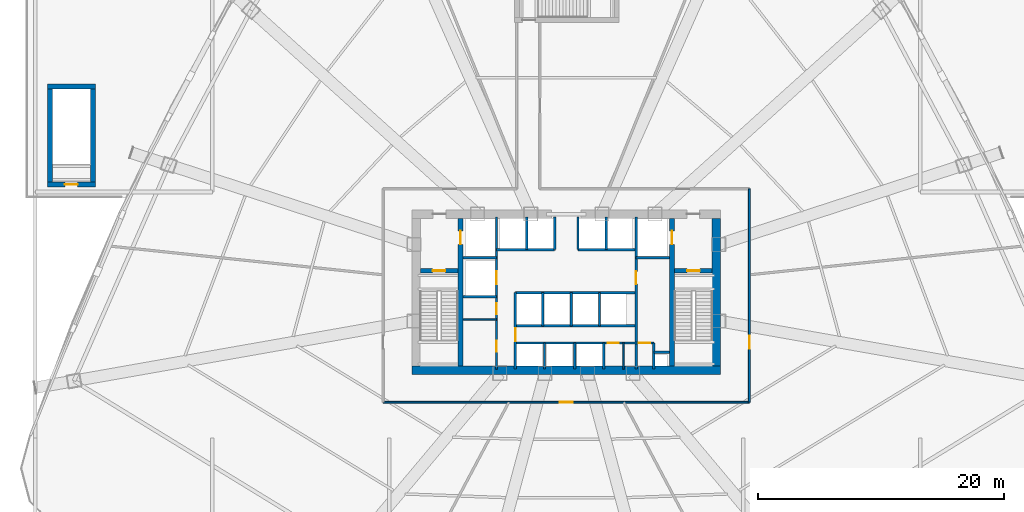
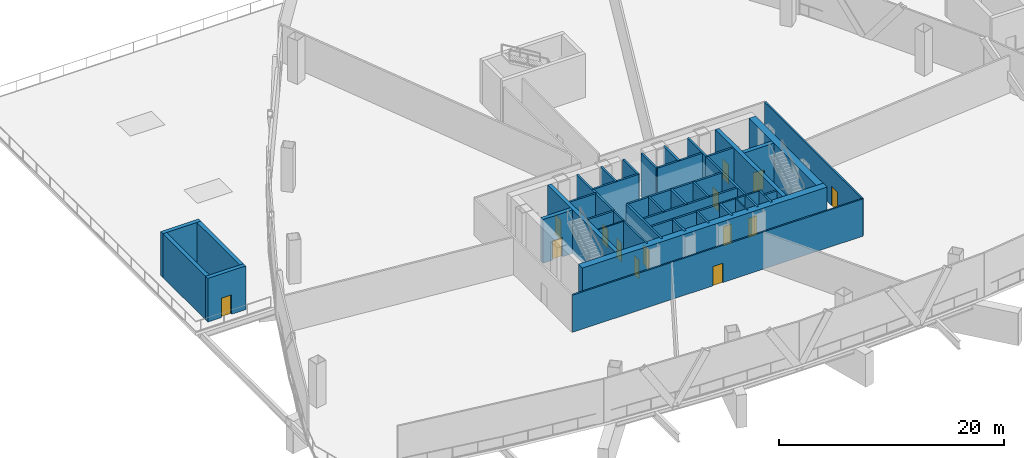
# One storey, part 10 of 18: 40 walls, 14 doors, 14 openings.
"""IFC4 building model written with IfcOpenShell, lengths in metres."""

from ifc_helpers import new_model, si_unit, direction, frame, frame_2d, origin, origin_with_axes, place, context, subcontext, project, spatial, rectangle, extrude, source, transform, mapped, material, layer, layer_set, type_object, element, fill, save


model = new_model("IFC4")

# Units and contexts
model_context = context("Model", 3, precision=1e-05, world=origin(), true_north=direction((0.0, 1.0)))
body_context = subcontext(model_context, "Body", "Model", "MODEL_VIEW")
ifc_project = project(units=[si_unit("LENGTHUNIT", "METRE"), si_unit("AREAUNIT", "SQUARE_METRE"), si_unit("VOLUMEUNIT", "CUBIC_METRE"), si_unit("PLANEANGLEUNIT", "RADIAN"), si_unit("MASSUNIT", "GRAM", prefix="KILO"), si_unit("THERMODYNAMICTEMPERATUREUNIT", "KELVIN"), si_unit("POWERUNIT", "WATT")], contexts=[model_context])

# Site, building, storey
site_placement = place(None, origin())
site = spatial("IfcSite", under=ifc_project, at=site_placement, CompositionType="ELEMENT")
building_placement = place(site_placement, origin())
building = spatial("IfcBuilding", under=site, at=building_placement, Name="Yunzhuo Pagoda Commons", CompositionType="ELEMENT")
storey_placement = place(building_placement, frame((0.0, 0.0, 25.39990234375)))
storey = spatial("IfcBuildingStorey", under=building, at=storey_placement, Name="L06", CompositionType="ELEMENT", Elevation=25.39990234375)

# Walls
ifc_material_1 = material(Name="Concrete C60", Category="concrete")
ifc_layer_1 = layer(ifc_material_1, 0.699951171875)
ifc_layer_set_1 = layer_set([ifc_layer_1], Name="Concrete C60")
wall_type_1 = type_object("IfcWallType", Name="W-C01 Lower Core Shear Wall 700", PredefinedType="SHEAR", material=ifc_layer_set_1)
wall_1_placement = place(storey_placement, frame((35.449951171875, 27.5, 0.0), z_axis=(0.0, 0.0, 1.0), x_axis=(1.0, 0.0, 0.0)))
element("IfcWall", 1, at=wall_1_placement, inside=storey, type_object=wall_type_1, Name="L06 core shear wall S", PredefinedType="SHEAR", context=body_context, shape_type="SweptSolid", body=[
    extrude(rectangle(XDim=25.10009765625, YDim=0.699951171875, at=frame_2d((12.550048828125, 0.0))), origin(), (0.0, 0.0, 1.0), 4.739990234375),
])
wall_2_placement = place(storey_placement, frame((60.199951171875, 27.85009765625, 0.0), z_axis=(0.0, 0.0, 1.0), x_axis=(0.0, 1.0, 0.0)))
element("IfcWall", 2, at=wall_2_placement, inside=storey, type_object=wall_type_1, Name="L06 core shear wall E", PredefinedType="SHEAR", context=body_context, shape_type="SweptSolid", body=[
    extrude(rectangle(XDim=12.0, YDim=0.699951171875, at=frame_2d((6.0, 0.0))), origin(), (0.0, 0.0, 1.0), 4.739990234375),
])

# Wall, openings, doors
ifc_material_2 = material(Name="Gypsum plasterboard on acoustic stud")
ifc_layer_2 = layer(ifc_material_2, 0.159912109375)
ifc_layer_set_2 = layer_set([ifc_layer_2], Name="Gypsum plasterboard on acoustic stud")
wall_type_2 = type_object("IfcWallType", Name="W-COR1 Tower Rated Corridor Wall 160", PredefinedType="PARTITIONING", material=ifc_layer_set_2)
wall_3_placement = place(storey_placement, frame((42.320068359375, 27.60009765625, 0.0), z_axis=(0.0, 0.0, 1.0), x_axis=(0.0, 1.0, 0.0)))
wall_3 = element("IfcWall", 3, at=wall_3_placement, inside=storey, type_object=wall_type_2, Name="L06 interior wall IW-L06-CSWE", PredefinedType="PARTITIONING", context=body_context, shape_type="SweptSolid", body=[
    extrude(rectangle(XDim=5.89990234375, YDim=0.159912109375, at=frame_2d((2.949951171875, 0.0))), origin(), (0.0, 0.0, 1.0), 4.739990234375),
])
opening_1_placement = place(wall_3_placement, frame((1.39990234375, 0.0, 0.0)))
opening_1 = element("IfcOpeningElement", 4, at=opening_1_placement, cuts=wall_3, Name="Opening D-03", PredefinedType="OPENING", context=body_context, shape_type="SweptSolid", body=[
    extrude(rectangle(XDim=0.89990234375, YDim=2.10009765625, at=frame_2d((0.449951171875, 1.050048828125))), frame((0.0, 0.08984375, 0.0), z_axis=(0.0, -1.0, 0.0), x_axis=(1.0, 0.0, 0.0)), (0.0, 0.0, 1.0), 0.179931640625),
])
opening_2_placement = place(wall_3_placement, frame((4.449951171875, 0.0, 0.0)))
opening_2 = element("IfcOpeningElement", 5, at=opening_2_placement, cuts=wall_3, Name="Opening D-03", PredefinedType="OPENING", context=body_context, shape_type="SweptSolid", body=[
    extrude(rectangle(XDim=0.89990234375, YDim=2.10009765625, at=frame_2d((0.449951171875, 1.050048828125))), frame((0.0, 0.08984375, 0.0), z_axis=(0.0, -1.0, 0.0), x_axis=(1.0, 0.0, 0.0)), (0.0, 0.0, 1.0), 0.179931640625),
])
ifc_material_3 = material(Name="Galvanized fire-resisting metal leaf")
door_type_1 = type_object("IfcDoorType", Name="D-03 Core Service Fire Door 900x2100", OperationType="NOTDEFINED", PredefinedType="DOOR", material=ifc_material_3)
shared_shape_1 = source(origin(), body_context, "Body", "SweptSolid", [
    extrude(rectangle(XDim=0.89990234375, YDim=2.10009765625, at=frame_2d((0.449951171875, 1.050048828125))), frame((0.0, 0.02490234375, 0.0), z_axis=(0.0, -1.0, 0.0), x_axis=(1.0, 0.0, 0.0)), (0.0, 0.0, 1.0), 0.050048828125),
])
door_1_placement = place(opening_1_placement, origin_with_axes())
door_1 = element("IfcDoor", 6, at=door_1_placement, inside=storey, type_object=door_type_1, Name="L06 service store door", OperationType="SINGLE_SWING_LEFT", OverallHeight=2.10009765625, OverallWidth=0.89990234375, PredefinedType="DOOR", context=body_context, shape_type="MappedRepresentation", body=[
    mapped(shared_shape_1, transform((0.0, 0.0, 0.0), scale=1.0)),
])
fill(opening_1, door_1)
door_2_placement = place(opening_2_placement, origin_with_axes())
door_2 = element("IfcDoor", 7, at=door_2_placement, inside=storey, type_object=door_type_1, Name="L06 switch closet door", OperationType="SINGLE_SWING_RIGHT", OverallHeight=2.10009765625, OverallWidth=0.89990234375, PredefinedType="DOOR", context=body_context, shape_type="MappedRepresentation", body=[
    mapped(shared_shape_1, transform((0.0, 0.0, 0.0), scale=1.0)),
])
fill(opening_2, door_2)

wall_4_placement = place(storey_placement, frame((51.050048828125, 29.719970703125, 0.0), z_axis=(0.0, 0.0, 1.0), x_axis=(1.0, 0.0, 0.0)))
wall_4 = element("IfcWall", 8, at=wall_4_placement, inside=storey, type_object=wall_type_2, Name="L06 interior wall IW-L06-CSES", PredefinedType="PARTITIONING", context=body_context, shape_type="SweptSolid", body=[
    extrude(rectangle(XDim=4.070068359375, YDim=0.159912109375, at=frame_2d((2.03515625, 0.0))), origin(), (0.0, 0.0, 1.0), 4.739990234375),
])
opening_3_placement = place(wall_4_placement, frame((0.300048828125, 0.0, 0.0)))
opening_3 = element("IfcOpeningElement", 9, at=opening_3_placement, cuts=wall_4, Name="Opening D-03", PredefinedType="OPENING", context=body_context, shape_type="SweptSolid", body=[
    extrude(rectangle(XDim=0.89990234375, YDim=2.10009765625, at=frame_2d((0.449951171875, 1.050048828125))), frame((0.0, 0.08984375, 0.0), z_axis=(0.0, -1.0, 0.0), x_axis=(1.0, 0.0, 0.0)), (0.0, 0.0, 1.0), 0.179931640625),
])
opening_4_placement = place(wall_4_placement, frame((2.860107421875, 0.0, 0.0)))
opening_4 = element("IfcOpeningElement", 10, at=opening_4_placement, cuts=wall_4, Name="Opening D-03", PredefinedType="OPENING", context=body_context, shape_type="SweptSolid", body=[
    extrude(rectangle(XDim=0.89990234375, YDim=2.10009765625, at=frame_2d((0.449951171875, 1.050048828125))), frame((0.0, 0.08984375, 0.0), z_axis=(0.0, -1.0, 0.0), x_axis=(1.0, 0.0, 0.0)), (0.0, 0.0, 1.0), 0.179931640625),
])
door_3_placement = place(opening_3_placement, origin_with_axes())
door_3 = element("IfcDoor", 11, at=door_3_placement, inside=storey, type_object=door_type_1, Name="L06 cleaner door", OperationType="SINGLE_SWING_LEFT", OverallHeight=2.10009765625, OverallWidth=0.89990234375, PredefinedType="DOOR", context=body_context, shape_type="MappedRepresentation", body=[
    mapped(shared_shape_1, transform((0.0, 0.0, 0.0), scale=1.0)),
])
fill(opening_3, door_3)
door_4_placement = place(opening_4_placement, origin_with_axes())
door_4 = element("IfcDoor", 12, at=door_4_placement, inside=storey, type_object=door_type_1, Name="L06 core battery door", OperationType="SINGLE_SWING_RIGHT", OverallHeight=2.10009765625, OverallWidth=0.89990234375, PredefinedType="DOOR", context=body_context, shape_type="MappedRepresentation", body=[
    mapped(shared_shape_1, transform((0.0, 0.0, 0.0), scale=1.0)),
])
fill(opening_4, door_4)

# Wall, opening, door
wall_5_placement = place(storey_placement, frame((62.89990234375, 42.25, 0.0), z_axis=(0.0, 0.0, 1.0), x_axis=(0.0, -1.0, 0.0)))
wall_5 = element("IfcWall", 13, at=wall_5_placement, inside=storey, type_object=wall_type_2, Name="L06 interior wall IW-L06-SCW03", PredefinedType="PARTITIONING", context=body_context, shape_type="SweptSolid", body=[
    extrude(rectangle(XDim=17.35009765625, YDim=0.159912109375, at=frame_2d((8.675048828125, 0.0))), origin(), (0.0, 0.0, 1.0), 4.0400390625),
])
opening_5_placement = place(wall_5_placement, frame((11.94189453125, 0.0, 0.0)))
opening_5 = element("IfcOpeningElement", 14, at=opening_5_placement, cuts=wall_5, Name="Opening D-02", PredefinedType="OPENING", context=body_context, shape_type="SweptSolid", body=[
    extrude(rectangle(XDim=1.050048828125, YDim=2.10009765625, at=frame_2d((0.52490234375, 1.050048828125))), frame((0.0, 0.08984375, 0.0), z_axis=(0.0, -1.0, 0.0), x_axis=(1.0, 0.0, 0.0)), (0.0, 0.0, 1.0), 0.179931640625),
])
door_type_2 = type_object("IfcDoorType", Name="D-02 Firefighting Lobby & Refuge Fire Door 1050x2100", OperationType="NOTDEFINED", PredefinedType="DOOR", material=ifc_material_3)
shared_shape_2 = source(origin(), body_context, "Body", "SweptSolid", [
    extrude(rectangle(XDim=1.050048828125, YDim=2.10009765625, at=frame_2d((0.52490234375, 1.050048828125))), frame((0.0, 0.02490234375, 0.0), z_axis=(0.0, -1.0, 0.0), x_axis=(1.0, 0.0, 0.0)), (0.0, 0.0, 1.0), 0.050048828125),
])
door_5_placement = place(opening_5_placement, origin_with_axes())
door_5 = element("IfcDoor", 15, at=door_5_placement, inside=storey, type_object=door_type_2, Name="L06 South Refuge Area door", OperationType="SINGLE_SWING_RIGHT", OverallHeight=2.10009765625, OverallWidth=1.050048828125, PredefinedType="DOOR", context=body_context, shape_type="MappedRepresentation", body=[
    mapped(shared_shape_2, transform((0.0, 0.0, 0.0), scale=1.0)),
])
fill(opening_5, door_5)

wall_6_placement = place(storey_placement, frame((62.89990234375, 24.89990234375, 0.0), z_axis=(0.0, 0.0, 1.0), x_axis=(-1.0, 0.0, 0.0)))
wall_6 = element("IfcWall", 16, at=wall_6_placement, inside=storey, type_object=wall_type_2, Name="L06 interior wall IW-L06-SCW04", PredefinedType="PARTITIONING", context=body_context, shape_type="SweptSolid", body=[
    extrude(rectangle(XDim=29.7998046875, YDim=0.159912109375, at=frame_2d((14.89990234375, 0.0))), origin(), (0.0, 0.0, 1.0), 4.0400390625),
])
opening_6_placement = place(wall_6_placement, frame((14.375, 0.0, 0.0)))
opening_6 = element("IfcOpeningElement", 17, at=opening_6_placement, cuts=wall_6, Name="Opening D-02", PredefinedType="OPENING", context=body_context, shape_type="SweptSolid", body=[
    extrude(rectangle(XDim=1.050048828125, YDim=2.10009765625, at=frame_2d((0.52490234375, 1.050048828125))), frame((0.0, 0.08984375, 0.0), z_axis=(0.0, -1.0, 0.0), x_axis=(1.0, 0.0, 0.0)), (0.0, 0.0, 1.0), 0.179931640625),
])
door_6_placement = place(opening_6_placement, origin_with_axes())
door_6 = element("IfcDoor", 18, at=door_6_placement, inside=storey, type_object=door_type_2, Name="L06 South Refuge Area door", OperationType="SINGLE_SWING_LEFT", OverallHeight=2.10009765625, OverallWidth=1.050048828125, PredefinedType="DOOR", context=body_context, shape_type="MappedRepresentation", body=[
    mapped(shared_shape_2, transform((0.0, 0.0, 0.0), scale=1.0)),
])
fill(opening_6, door_6)

# Walls
ifc_layer_3 = layer(ifc_material_2, 0.1201171875)
ifc_layer_set_3 = layer_set([ifc_layer_3], Name="Gypsum plasterboard on acoustic stud")
wall_type_3 = type_object("IfcWallType", Name="W-PRT1 Suite & Bathroom Partition 120", PredefinedType="PARTITIONING", material=ifc_layer_set_3)
wall_7_placement = place(storey_placement, frame((39.60009765625, 31.64990234375, 0.0), z_axis=(0.0, 0.0, 1.0), x_axis=(1.0, 0.0, 0.0)))
element("IfcWall", 19, at=wall_7_placement, inside=storey, type_object=wall_type_3, Name="L06 interior wall IW-L06-CD1", PredefinedType="PARTITIONING", context=body_context, shape_type="SweptSolid", body=[
    extrude(rectangle(XDim=2.719970703125, YDim=0.1201171875, at=frame_2d((1.35986328125, 0.0))), origin(), (0.0, 0.0, 1.0), 4.739990234375),
])
wall_8_placement = place(storey_placement, frame((52.64990234375, 27.60009765625, 0.0), z_axis=(0.0, 0.0, 1.0), x_axis=(0.0, 1.0, 0.0)))
element("IfcWall", 20, at=wall_8_placement, inside=storey, type_object=wall_type_3, Name="L06 interior wall IW-L06-CD2", PredefinedType="PARTITIONING", context=body_context, shape_type="SweptSolid", body=[
    extrude(rectangle(XDim=2.119873046875, YDim=0.1201171875, at=frame_2d((1.06005859375, 0.0))), origin(), (0.0, 0.0, 1.0), 4.739990234375),
])

# Wall, opening, door
ifc_layer_4 = layer(ifc_material_1, 0.39990234375)
ifc_layer_set_4 = layer_set([ifc_layer_4], Name="Concrete C60")
wall_type_4 = type_object("IfcWallType", Name="W-S01 Internal Core Shear Web 400", PredefinedType="SHEAR", material=ifc_layer_set_4)
wall_9_placement = place(storey_placement, frame((39.39990234375, 27.85009765625, 0.0), z_axis=(0.0, 0.0, 1.0), x_axis=(0.0, 1.0, 0.0)))
wall_9 = element("IfcWall", 21, at=wall_9_placement, inside=storey, type_object=wall_type_4, Name="L06 core shear wall WEBW", PredefinedType="SHEAR", context=body_context, shape_type="SweptSolid", body=[
    extrude(rectangle(XDim=12.0, YDim=0.39990234375, at=frame_2d((6.0, 0.0))), origin(), (0.0, 0.0, 1.0), 4.739990234375),
])
opening_7_placement = place(wall_9_placement, frame((9.89990234375, 0.0, 0.0)))
opening_7 = element("IfcOpeningElement", 22, at=opening_7_placement, cuts=wall_9, Name="Opening LD-01", PredefinedType="OPENING", context=body_context, shape_type="SweptSolid", body=[
    extrude(rectangle(XDim=1.10009765625, YDim=2.10009765625, at=frame_2d((0.550048828125, 1.050048828125))), frame((0.0, 0.2099609375, 0.0), z_axis=(0.0, -1.0, 0.0), x_axis=(1.0, 0.0, 0.0)), (0.0, 0.0, 1.0), 0.419921875),
])
door_type_3 = type_object("IfcDoorType", Name="LD-01 Firefighting Lift Landing Door 1100x2100", OperationType="DOUBLE_DOOR_SLIDING", PredefinedType="DOOR", material=ifc_material_3)
shared_shape_3 = source(origin(), body_context, "Body", "SweptSolid", [
    extrude(rectangle(XDim=1.10009765625, YDim=2.10009765625, at=frame_2d((0.550048828125, 1.050048828125))), frame((0.0, 0.02490234375, 0.0), z_axis=(0.0, -1.0, 0.0), x_axis=(1.0, 0.0, 0.0)), (0.0, 0.0, 1.0), 0.050048828125),
])
door_7_placement = place(opening_7_placement, frame((1.10009765625, 0.0, 0.0), z_axis=(0.0, 0.0, 1.0), x_axis=(-1.0, 0.0, 0.0)))
door_7 = element("IfcDoor", 23, at=door_7_placement, inside=storey, type_object=door_type_3, Name="L06 Firefighting lift FL-1 landing door", OperationType="DOUBLE_DOOR_SLIDING", OverallHeight=2.10009765625, OverallWidth=1.10009765625, PredefinedType="DOOR", context=body_context, shape_type="MappedRepresentation", body=[
    mapped(shared_shape_3, transform((0.0, 0.0, 0.0), scale=1.0)),
])
fill(opening_7, door_7)

wall_10_placement = place(storey_placement, frame((56.60009765625, 27.85009765625, 0.0), z_axis=(0.0, 0.0, 1.0), x_axis=(0.0, 1.0, 0.0)))
wall_10 = element("IfcWall", 24, at=wall_10_placement, inside=storey, type_object=wall_type_4, Name="L06 core shear wall WEBE", PredefinedType="SHEAR", context=body_context, shape_type="SweptSolid", body=[
    extrude(rectangle(XDim=12.0, YDim=0.39990234375, at=frame_2d((6.0, 0.0))), origin(), (0.0, 0.0, 1.0), 4.739990234375),
])
opening_8_placement = place(wall_10_placement, frame((9.89990234375, 0.0, 0.0)))
opening_8 = element("IfcOpeningElement", 25, at=opening_8_placement, cuts=wall_10, Name="Opening LD-01", PredefinedType="OPENING", context=body_context, shape_type="SweptSolid", body=[
    extrude(rectangle(XDim=1.10009765625, YDim=2.10009765625, at=frame_2d((0.550048828125, 1.050048828125))), frame((0.0, 0.2099609375, 0.0), z_axis=(0.0, -1.0, 0.0), x_axis=(1.0, 0.0, 0.0)), (0.0, 0.0, 1.0), 0.419921875),
])
door_8_placement = place(opening_8_placement, origin_with_axes())
door_8 = element("IfcDoor", 26, at=door_8_placement, inside=storey, type_object=door_type_3, Name="L06 Firefighting lift FL-2 landing door", OperationType="DOUBLE_DOOR_SLIDING", OverallHeight=2.10009765625, OverallWidth=1.10009765625, PredefinedType="DOOR", context=body_context, shape_type="MappedRepresentation", body=[
    mapped(shared_shape_3, transform((0.0, 0.0, 0.0), scale=1.0)),
])
fill(opening_8, door_8)

wall_11_placement = place(storey_placement, frame((36.14990234375, 35.60009765625, 0.0), z_axis=(0.0, 0.0, 1.0), x_axis=(1.0, 0.0, 0.0)))
wall_11 = element("IfcWall", 27, at=wall_11_placement, inside=storey, type_object=wall_type_4, Name="L06 core shear wall STW", PredefinedType="SHEAR", context=body_context, shape_type="SweptSolid", body=[
    extrude(rectangle(XDim=3.050048828125, YDim=0.39990234375, at=frame_2d((1.52490234375, 0.0))), origin(), (0.0, 0.0, 1.0), 4.739990234375),
])
opening_9_placement = place(wall_11_placement, frame((0.969970703125, 0.0, 0.0)))
opening_9 = element("IfcOpeningElement", 28, at=opening_9_placement, cuts=wall_11, Name="Opening D-01", PredefinedType="OPENING", context=body_context, shape_type="SweptSolid", body=[
    extrude(rectangle(XDim=1.050048828125, YDim=2.10009765625, at=frame_2d((0.52490234375, 1.050048828125))), frame((0.0, 0.2099609375, 0.0), z_axis=(0.0, -1.0, 0.0), x_axis=(1.0, 0.0, 0.0)), (0.0, 0.0, 1.0), 0.419921875),
])
door_type_4 = type_object("IfcDoorType", Name="D-01 Smokeproof Stair Fire Door 1050x2100", OperationType="NOTDEFINED", PredefinedType="DOOR", material=ifc_material_3)
door_9_placement = place(opening_9_placement, frame((1.050048828125, 0.0, 0.0), z_axis=(0.0, 0.0, 1.0), x_axis=(-1.0, 0.0, 0.0)))
door_9 = element("IfcDoor", 29, at=door_9_placement, inside=storey, type_object=door_type_4, Name="L06 Stair ST1 fire door", OperationType="SINGLE_SWING_LEFT", OverallHeight=2.10009765625, OverallWidth=1.050048828125, PredefinedType="DOOR", context=body_context, shape_type="MappedRepresentation", body=[
    mapped(shared_shape_2, transform((0.0, 0.0, 0.0), scale=1.0)),
])
fill(opening_9, door_9)

wall_12_placement = place(storey_placement, frame((56.800048828125, 35.60009765625, 0.0), z_axis=(0.0, 0.0, 1.0), x_axis=(1.0, 0.0, 0.0)))
wall_12 = element("IfcWall", 30, at=wall_12_placement, inside=storey, type_object=wall_type_4, Name="L06 core shear wall STE", PredefinedType="SHEAR", context=body_context, shape_type="SweptSolid", body=[
    extrude(rectangle(XDim=3.050048828125, YDim=0.39990234375, at=frame_2d((1.52490234375, 0.0))), origin(), (0.0, 0.0, 1.0), 4.739990234375),
])
opening_10_placement = place(wall_12_placement, frame((1.02001953125, 0.0, 0.0)))
opening_10 = element("IfcOpeningElement", 31, at=opening_10_placement, cuts=wall_12, Name="Opening D-01", PredefinedType="OPENING", context=body_context, shape_type="SweptSolid", body=[
    extrude(rectangle(XDim=1.050048828125, YDim=2.10009765625, at=frame_2d((0.52490234375, 1.050048828125))), frame((0.0, 0.2099609375, 0.0), z_axis=(0.0, -1.0, 0.0), x_axis=(1.0, 0.0, 0.0)), (0.0, 0.0, 1.0), 0.419921875),
])
door_10_placement = place(opening_10_placement, frame((1.050048828125, 0.0, 0.0), z_axis=(0.0, 0.0, 1.0), x_axis=(-1.0, 0.0, 0.0)))
door_10 = element("IfcDoor", 32, at=door_10_placement, inside=storey, type_object=door_type_4, Name="L06 Stair ST2 fire door", OperationType="SINGLE_SWING_RIGHT", OverallHeight=2.10009765625, OverallWidth=1.050048828125, PredefinedType="DOOR", context=body_context, shape_type="MappedRepresentation", body=[
    mapped(shared_shape_2, transform((0.0, 0.0, 0.0), scale=1.0)),
])
fill(opening_10, door_10)

# Wall
wall_13_placement = place(storey_placement, frame((5.800048828125, 50.60009765625, 0.0), z_axis=(0.0, 0.0, 1.0), x_axis=(1.0, 0.0, 0.0)))
element("IfcWall", 33, at=wall_13_placement, inside=storey, type_object=wall_type_4, Name="L06 PS3 structural stair wall N", PredefinedType="SHEAR", context=body_context, shape_type="SweptSolid", body=[
    extrude(rectangle(XDim=3.89990234375, YDim=0.39990234375, at=frame_2d((1.949951171875, 0.0))), origin(), (0.0, 0.0, 1.0), 4.739990234375),
])

# Wall, opening, door
wall_14_placement = place(storey_placement, frame((5.800048828125, 42.60009765625, 0.0), z_axis=(0.0, 0.0, 1.0), x_axis=(1.0, 0.0, 0.0)))
wall_14 = element("IfcWall", 34, at=wall_14_placement, inside=storey, type_object=wall_type_4, Name="L06 PS3 structural stair wall S", PredefinedType="SHEAR", context=body_context, shape_type="SweptSolid", body=[
    extrude(rectangle(XDim=3.89990234375, YDim=0.39990234375, at=frame_2d((1.949951171875, 0.0))), origin(), (0.0, 0.0, 1.0), 4.739990234375),
])
opening_11_placement = place(wall_14_placement, frame((1.39990234375, 0.0, 0.0)))
opening_11 = element("IfcOpeningElement", 35, at=opening_11_placement, cuts=wall_14, Name="Opening D-01", PredefinedType="OPENING", context=body_context, shape_type="SweptSolid", body=[
    extrude(rectangle(XDim=1.050048828125, YDim=2.10009765625, at=frame_2d((0.52490234375, 1.050048828125))), frame((0.0, 0.2099609375, 0.0), z_axis=(0.0, -1.0, 0.0), x_axis=(1.0, 0.0, 0.0)), (0.0, 0.0, 1.0), 0.419921875),
])
door_11_placement = place(opening_11_placement, frame((1.050048828125, 0.0, 0.0), z_axis=(0.0, 0.0, 1.0), x_axis=(-1.0, 0.0, 0.0)))
door_11 = element("IfcDoor", 36, at=door_11_placement, inside=storey, type_object=door_type_4, Name="L06 PS3 terrace exit door", OperationType="SINGLE_SWING_LEFT", OverallHeight=2.10009765625, OverallWidth=1.050048828125, PredefinedType="DOOR", context=body_context, shape_type="MappedRepresentation", body=[
    mapped(shared_shape_2, transform((0.0, 0.0, 0.0), scale=1.0)),
])
fill(opening_11, door_11)

# Walls
for number, where, z_axis, x_axis, name in (
    (37, (6.0, 42.800048828125, 0.0), (0.0, 0.0, 1.0), (0.0, 1.0, 0.0), "L06 PS3 structural stair wall W"),
    (38, (9.5, 42.800048828125, 0.0), (0.0, 0.0, 1.0), (0.0, 1.0, 0.0), "L06 PS3 structural stair wall E"),
):
    element("IfcWall", number, at=place(storey_placement, frame(where, z_axis=z_axis, x_axis=x_axis)), inside=storey, type_object=wall_type_4, Name=name, PredefinedType="SHEAR", context=body_context, shape_type="SweptSolid", body=[
        extrude(rectangle(XDim=7.599853515625, YDim=0.39990234375, at=frame_2d((3.7998046875, 0.0))), origin(), (0.0, 0.0, 1.0), 4.739990234375),
    ])

# Wall, opening, door
ifc_material_4 = material(Name="Concrete C40", Category="concrete")
ifc_layer_5 = layer(ifc_material_4, 0.199951171875)
ifc_layer_set_5 = layer_set([ifc_layer_5], Name="Concrete C40")
wall_type_5 = type_object("IfcWallType", Name="W-SHF Shaft & Stair Enclosure Wall 200", PredefinedType="SOLIDWALL", material=ifc_layer_set_5)
wall_15_placement = place(storey_placement, frame((42.320068359375, 33.5, 0.0), z_axis=(0.0, 0.0, 1.0), x_axis=(0.0, 1.0, 0.0)))
wall_15 = element("IfcWall", 39, at=wall_15_placement, inside=storey, type_object=wall_type_5, Name="L06 interior wall IW-L06-FL1E", PredefinedType="SOLIDWALL", context=body_context, shape_type="SweptSolid", body=[
    extrude(rectangle(XDim=6.449951171875, YDim=0.199951171875, at=frame_2d((3.22509765625, 0.0))), origin(), (0.0, 0.0, 1.0), 4.739990234375),
])
opening_12_placement = place(wall_15_placement, frame((1.0, 0.0, 0.0)))
opening_12 = element("IfcOpeningElement", 40, at=opening_12_placement, cuts=wall_15, Name="Opening LD-02", PredefinedType="OPENING", context=body_context, shape_type="SweptSolid", body=[
    extrude(rectangle(XDim=1.050048828125, YDim=2.10009765625, at=frame_2d((0.52490234375, 1.050048828125))), frame((0.0, 0.10986328125, 0.0), z_axis=(0.0, -1.0, 0.0), x_axis=(1.0, 0.0, 0.0)), (0.0, 0.0, 1.0), 0.219970703125),
])
door_type_5 = type_object("IfcDoorType", Name="LD-02 Passenger Lift Landing Door 1050x2100", OperationType="DOUBLE_DOOR_SLIDING", PredefinedType="DOOR", material=ifc_material_3)
door_12_placement = place(opening_12_placement, origin_with_axes())
door_12 = element("IfcDoor", 41, at=door_12_placement, inside=storey, type_object=door_type_5, Name="L06 Service lift SL-1 landing door", OperationType="DOUBLE_DOOR_SLIDING", OverallHeight=2.10009765625, OverallWidth=1.050048828125, PredefinedType="DOOR", context=body_context, shape_type="MappedRepresentation", body=[
    mapped(shared_shape_2, transform((0.0, 0.0, 0.0), scale=1.0)),
])
fill(opening_12, door_12)

# Walls
for number, where, z_axis, x_axis, name in (
    (42, (39.60009765625, 36.64990234375, 0.0), (0.0, 0.0, 1.0), (1.0, 0.0, 0.0), "L06 interior wall IW-L06-FL1S"),
    (43, (39.60009765625, 33.5, 0.0), (0.0, 0.0, 1.0), (1.0, 0.0, 0.0), "L06 interior wall IW-L06-SL1S"),
):
    element("IfcWall", number, at=place(storey_placement, frame(where, z_axis=z_axis, x_axis=x_axis)), inside=storey, type_object=wall_type_5, Name=name, PredefinedType="SOLIDWALL", context=body_context, shape_type="SweptSolid", body=[
        extrude(rectangle(XDim=2.719970703125, YDim=0.199951171875, at=frame_2d((1.35986328125, 0.0))), origin(), (0.0, 0.0, 1.0), 4.739990234375),
    ])
wall_16_placement = place(storey_placement, frame((53.679931640625, 36.64990234375, 0.0), z_axis=(0.0, 0.0, 1.0), x_axis=(0.0, 1.0, 0.0)))
element("IfcWall", 44, at=wall_16_placement, inside=storey, type_object=wall_type_5, Name="L06 interior wall IW-L06-FL2W", PredefinedType="SOLIDWALL", context=body_context, shape_type="SweptSolid", body=[
    extrude(rectangle(XDim=3.300048828125, YDim=0.199951171875, at=frame_2d((1.64990234375, 0.0))), origin(), (0.0, 0.0, 1.0), 4.739990234375),
])
wall_17_placement = place(storey_placement, frame((53.679931640625, 36.64990234375, 0.0), z_axis=(0.0, 0.0, 1.0), x_axis=(1.0, 0.0, 0.0)))
element("IfcWall", 45, at=wall_17_placement, inside=storey, type_object=wall_type_5, Name="L06 interior wall IW-L06-FL2S", PredefinedType="SOLIDWALL", context=body_context, shape_type="SweptSolid", body=[
    extrude(rectangle(XDim=2.719970703125, YDim=0.199951171875, at=frame_2d((1.35986328125, 0.0))), origin(), (0.0, 0.0, 1.0), 4.739990234375),
])
for number, where, z_axis, x_axis, name in (
    (46, (42.320068359375, 37.320068359375, 0.0), (0.0, 0.0, 1.0), (1.0, 0.0, 0.0), "L06 interior wall IW-L06-LBNW"),
    (47, (48.949951171875, 37.320068359375, 0.0), (0.0, 0.0, 1.0), (1.0, 0.0, 0.0), "L06 interior wall IW-L06-LBNE"),
):
    element("IfcWall", number, at=place(storey_placement, frame(where, z_axis=z_axis, x_axis=x_axis)), inside=storey, type_object=wall_type_5, Name=name, PredefinedType="SOLIDWALL", context=body_context, shape_type="SweptSolid", body=[
        extrude(rectangle(XDim=4.72998046875, YDim=0.199951171875, at=frame_2d((2.364990234375, 0.0))), origin(), (0.0, 0.0, 1.0), 4.739990234375),
    ])
for number, where, z_axis, x_axis, name in (
    (48, (47.050048828125, 37.320068359375, 0.0), (0.0, 0.0, 1.0), (0.0, 1.0, 0.0), "L06 interior wall IW-L06-THRW"),
    (49, (48.949951171875, 37.320068359375, 0.0), (0.0, 0.0, 1.0), (0.0, 1.0, 0.0), "L06 interior wall IW-L06-THRE"),
    (50, (44.77001953125, 37.320068359375, 0.0), (0.0, 0.0, 1.0), (0.0, 1.0, 0.0), "L06 interior wall IW-L06-PLL12"),
    (51, (51.22998046875, 37.320068359375, 0.0), (0.0, 0.0, 1.0), (0.0, 1.0, 0.0), "L06 interior wall IW-L06-PLL34"),
):
    element("IfcWall", number, at=place(storey_placement, frame(where, z_axis=z_axis, x_axis=x_axis)), inside=storey, type_object=wall_type_5, Name=name, PredefinedType="SOLIDWALL", context=body_context, shape_type="SweptSolid", body=[
        extrude(rectangle(XDim=2.6298828125, YDim=0.199951171875, at=frame_2d((1.31494140625, 0.0))), origin(), (0.0, 0.0, 1.0), 4.739990234375),
    ])
wall_18_placement = place(storey_placement, frame((43.85009765625, 33.820068359375, 0.0), z_axis=(0.0, 0.0, 1.0), x_axis=(1.0, 0.0, 0.0)))
element("IfcWall", 52, at=wall_18_placement, inside=storey, type_object=wall_type_5, Name="L06 interior wall IW-L06-MLBS", PredefinedType="SOLIDWALL", context=body_context, shape_type="SweptSolid", body=[
    extrude(rectangle(XDim=9.829833984375, YDim=0.199951171875, at=frame_2d((4.9150390625, 0.0))), origin(), (0.0, 0.0, 1.0), 4.739990234375),
])

# Wall, opening, door
wall_19_placement = place(storey_placement, frame((43.85009765625, 27.60009765625, 0.0), z_axis=(0.0, 0.0, 1.0), x_axis=(0.0, 1.0, 0.0)))
wall_19 = element("IfcWall", 53, at=wall_19_placement, inside=storey, type_object=wall_type_5, Name="L06 interior wall IW-L06-PLMW", PredefinedType="SOLIDWALL", context=body_context, shape_type="SweptSolid", body=[
    extrude(rectangle(XDim=6.219970703125, YDim=0.199951171875, at=frame_2d((3.10986328125, 0.0))), origin(), (0.0, 0.0, 1.0), 4.739990234375),
])
opening_13_placement = place(wall_19_placement, frame((2.25, 0.0, 0.0)))
opening_13 = element("IfcOpeningElement", 54, at=opening_13_placement, cuts=wall_19, Name="Opening D-02", PredefinedType="OPENING", context=body_context, shape_type="SweptSolid", body=[
    extrude(rectangle(XDim=1.050048828125, YDim=2.10009765625, at=frame_2d((0.52490234375, 1.050048828125))), frame((0.0, 0.10986328125, 0.0), z_axis=(0.0, -1.0, 0.0), x_axis=(1.0, 0.0, 0.0)), (0.0, 0.0, 1.0), 0.219970703125),
])
door_13_placement = place(opening_13_placement, frame((1.050048828125, 0.0, 0.0), z_axis=(0.0, 0.0, 1.0), x_axis=(-1.0, 0.0, 0.0)))
door_13 = element("IfcDoor", 55, at=door_13_placement, inside=storey, type_object=door_type_2, Name="L06 High-bank hall west door", OperationType="SINGLE_SWING_LEFT", OverallHeight=2.10009765625, OverallWidth=1.050048828125, PredefinedType="DOOR", context=body_context, shape_type="MappedRepresentation", body=[
    mapped(shared_shape_2, transform((0.0, 0.0, 0.0), scale=1.0)),
])
fill(opening_13, door_13)

wall_20_placement = place(storey_placement, frame((53.679931640625, 27.60009765625, 0.0), z_axis=(0.0, 0.0, 1.0), x_axis=(0.0, 1.0, 0.0)))
wall_20 = element("IfcWall", 56, at=wall_20_placement, inside=storey, type_object=wall_type_5, Name="L06 interior wall IW-L06-PLME", PredefinedType="SOLIDWALL", context=body_context, shape_type="SweptSolid", body=[
    extrude(rectangle(XDim=9.0498046875, YDim=0.199951171875, at=frame_2d((4.52490234375, 0.0))), origin(), (0.0, 0.0, 1.0), 4.739990234375),
])
opening_14_placement = place(wall_20_placement, frame((6.89990234375, 0.0, 0.0)))
opening_14 = element("IfcOpeningElement", 57, at=opening_14_placement, cuts=wall_20, Name="Opening D-02", PredefinedType="OPENING", context=body_context, shape_type="SweptSolid", body=[
    extrude(rectangle(XDim=1.050048828125, YDim=2.10009765625, at=frame_2d((0.52490234375, 1.050048828125))), frame((0.0, 0.10986328125, 0.0), z_axis=(0.0, -1.0, 0.0), x_axis=(1.0, 0.0, 0.0)), (0.0, 0.0, 1.0), 0.219970703125),
])
door_14_placement = place(opening_14_placement, origin_with_axes())
door_14 = element("IfcDoor", 58, at=door_14_placement, inside=storey, type_object=door_type_2, Name="L06 High-bank lift hall door", OperationType="SINGLE_SWING_RIGHT", OverallHeight=2.10009765625, OverallWidth=1.050048828125, PredefinedType="DOOR", context=body_context, shape_type="MappedRepresentation", body=[
    mapped(shared_shape_2, transform((0.0, 0.0, 0.0), scale=1.0)),
])
fill(opening_14, door_14)

# Walls
for number, where, z_axis, x_axis, name in (
    (59, (46.10009765625, 31.1201171875, 0.0), (0.0, 0.0, 1.0), (0.0, 1.0, 0.0), "L06 interior wall IW-L06-PLMD1"),
    (60, (48.39990234375, 31.1201171875, 0.0), (0.0, 0.0, 1.0), (0.0, 1.0, 0.0), "L06 interior wall IW-L06-PLMD2"),
    (61, (50.699951171875, 31.1201171875, 0.0), (0.0, 0.0, 1.0), (0.0, 1.0, 0.0), "L06 interior wall IW-L06-PLMD3"),
):
    element("IfcWall", number, at=place(storey_placement, frame(where, z_axis=z_axis, x_axis=x_axis)), inside=storey, type_object=wall_type_5, Name=name, PredefinedType="SOLIDWALL", context=body_context, shape_type="SweptSolid", body=[
        extrude(rectangle(XDim=2.699951171875, YDim=0.199951171875, at=frame_2d((1.35009765625, 0.0))), origin(), (0.0, 0.0, 1.0), 4.739990234375),
    ])
wall_21_placement = place(storey_placement, frame((43.85009765625, 29.719970703125, 0.0), z_axis=(0.0, 0.0, 1.0), x_axis=(1.0, 0.0, 0.0)))
element("IfcWall", 62, at=wall_21_placement, inside=storey, type_object=wall_type_5, Name="L06 interior wall IW-L06-PLHN", PredefinedType="SOLIDWALL", context=body_context, shape_type="SweptSolid", body=[
    extrude(rectangle(XDim=7.199951171875, YDim=0.199951171875, at=frame_2d((3.60009765625, 0.0))), origin(), (0.0, 0.0, 1.0), 4.739990234375),
])
wall_22_placement = place(storey_placement, frame((51.050048828125, 27.60009765625, 0.0), z_axis=(0.0, 0.0, 1.0), x_axis=(0.0, 1.0, 0.0)))
element("IfcWall", 63, at=wall_22_placement, inside=storey, type_object=wall_type_5, Name="L06 interior wall IW-L06-PLHE", PredefinedType="SOLIDWALL", context=body_context, shape_type="SweptSolid", body=[
    extrude(rectangle(XDim=2.119873046875, YDim=0.199951171875, at=frame_2d((1.06005859375, 0.0))), origin(), (0.0, 0.0, 1.0), 4.739990234375),
])
wall_23_placement = place(storey_placement, frame((43.85009765625, 31.1201171875, 0.0), z_axis=(0.0, 0.0, 1.0), x_axis=(1.0, 0.0, 0.0)))
element("IfcWall", 64, at=wall_23_placement, inside=storey, type_object=wall_type_5, Name="L06 interior wall IW-L06-PLMS2", PredefinedType="SOLIDWALL", context=body_context, shape_type="SweptSolid", body=[
    extrude(rectangle(XDim=9.829833984375, YDim=0.199951171875, at=frame_2d((4.9150390625, 0.0))), origin(), (0.0, 0.0, 1.0), 4.739990234375),
])
for number, where, z_axis, x_axis, name in (
    (65, (46.22509765625, 27.60009765625, 0.0), (0.0, 0.0, 1.0), (0.0, 1.0, 0.0), "L06 interior wall IW-L06-PLHD1"),
    (66, (48.675048828125, 27.60009765625, 0.0), (0.0, 0.0, 1.0), (0.0, 1.0, 0.0), "L06 interior wall IW-L06-PLHD2"),
    (67, (55.1201171875, 27.60009765625, 0.0), (0.0, 0.0, 1.0), (0.0, 1.0, 0.0), "L06 interior wall IW-L06-RSHFW"),
):
    element("IfcWall", number, at=place(storey_placement, frame(where, z_axis=z_axis, x_axis=x_axis)), inside=storey, type_object=wall_type_5, Name=name, PredefinedType="SOLIDWALL", context=body_context, shape_type="SweptSolid", body=[
        extrude(rectangle(XDim=2.119873046875, YDim=0.199951171875, at=frame_2d((1.06005859375, 0.0))), origin(), (0.0, 0.0, 1.0), 4.739990234375),
    ])
wall_24_placement = place(storey_placement, frame((55.1201171875, 28.949951171875, 0.0), z_axis=(0.0, 0.0, 1.0), x_axis=(1.0, 0.0, 0.0)))
element("IfcWall", 68, at=wall_24_placement, inside=storey, type_object=wall_type_5, Name="L06 interior wall IW-L06-RSHFN", PredefinedType="SOLIDWALL", context=body_context, shape_type="SweptSolid", body=[
    extrude(rectangle(XDim=1.27978515625, YDim=0.199951171875, at=frame_2d((0.639892578125, 0.0))), origin(), (0.0, 0.0, 1.0), 4.739990234375),
])

save(model, "model.ifc")
